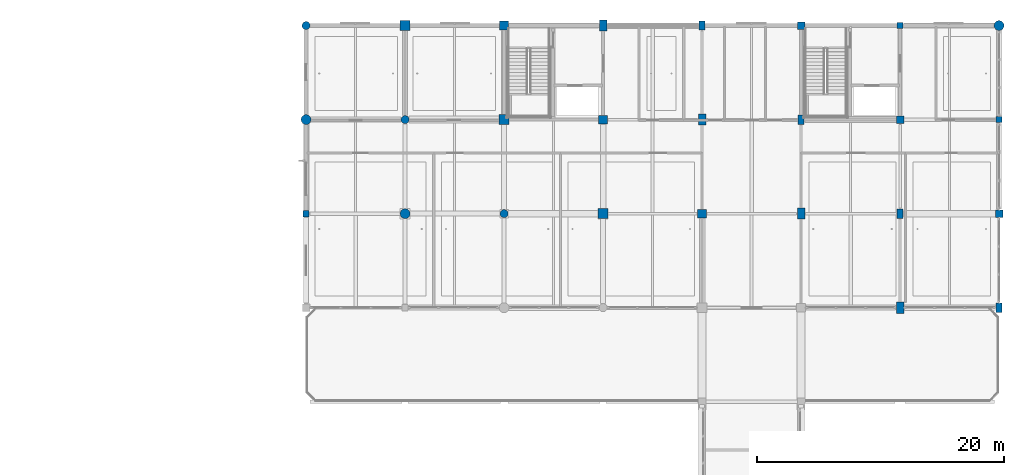
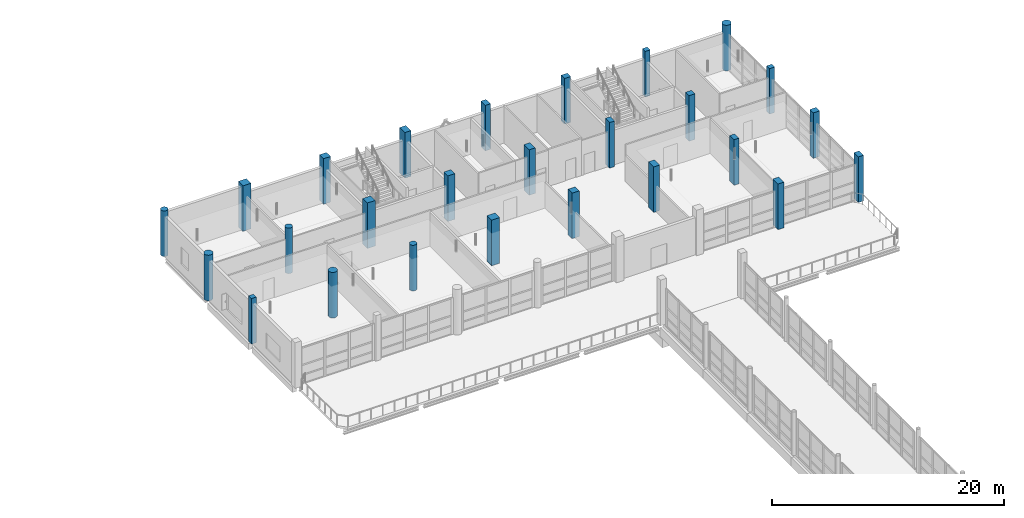
# One storey, part 10 of 141: 26 columns.
"""IFC4 building model written with IfcOpenShell, lengths in metres."""

from ifc_helpers import new_model, si_unit, direction, frame, origin, origin_2d, place, context, subcontext, project, spatial, rectangle, circle, extrude, material, material_profile, profile_set, type_object, element, save


model = new_model("IFC4")

# Units and contexts
model_context = context("Model", 3, precision=1e-05, world=origin(), true_north=direction((0.0, 1.0)))
body_context = subcontext(model_context, "Body", "Model", "MODEL_VIEW")
ifc_project = project(units=[si_unit("LENGTHUNIT", "METRE"), si_unit("AREAUNIT", "SQUARE_METRE"), si_unit("VOLUMEUNIT", "CUBIC_METRE"), si_unit("PLANEANGLEUNIT", "RADIAN"), si_unit("MASSUNIT", "GRAM", prefix="KILO")], contexts=[model_context])

# Site, building, storey
site_placement = place(None, origin())
site = spatial("IfcSite", under=ifc_project, at=site_placement, CompositionType="ELEMENT")
building_placement = place(site_placement, origin())
building = spatial("IfcBuilding", under=site, at=building_placement, Name="Khelvaren Railside Concert Hall", CompositionType="ELEMENT")
storey_placement = place(building_placement, frame((0.0, 0.0, 10.199951171875)))
storey = spatial("IfcBuildingStorey", under=building, at=storey_placement, Name="L02", CompositionType="ELEMENT", Elevation=10.199951171875)

# Columns
ifc_material = material(Name="Concrete C45/55", Category="concrete")
ifc_material_profile_1 = material_profile(ifc_material, rectangle(XDim=0.60009765625, YDim=0.60009765625, at=origin_2d()), Name="RC 600x600")
ifc_profile_set_1 = profile_set([ifc_material_profile_1], Name="Concrete C45/55")
column_type_1 = type_object("IfcColumnType", Name="COL11", PredefinedType="COLUMN", material=ifc_profile_set_1)
for number, where, z_axis, x_axis, name in (
    (1, (168.0, 114.0, 0.0), (0.0, 0.0, 1.0), (1.0, 0.0, 0.0), "V5 L02 Column (168.0,114.0)"),
    (2, (184.0, 98.800048828125, 0.0), (0.0, 0.0, 1.0), (1.0, 0.0, 0.0), "V5 L02 Column (184.0,98.8)"),
):
    element("IfcColumn", number, at=place(storey_placement, frame(where, z_axis=z_axis, x_axis=x_axis)), inside=storey, type_object=column_type_1, Name=name, PredefinedType="COLUMN", context=body_context, shape_type="SweptSolid", body=[
        extrude(rectangle(XDim=0.60009765625, YDim=0.60009765625, at=origin_2d()), origin(), (0.0, 0.0, 1.0), 4.800048828125),
    ])
ifc_material_profile_2 = material_profile(ifc_material, circle(Radius=0.39990234375, at=origin_2d()), Name="RC D800")
ifc_profile_set_2 = profile_set([ifc_material_profile_2], Name="Concrete C45/55")
column_type_2 = type_object("IfcColumnType", Name="COL14", PredefinedType="COLUMN", material=ifc_profile_set_2)
column_1_placement = place(storey_placement, frame((136.0, 98.800048828125, 0.0), z_axis=(0.0, 0.0, 1.0), x_axis=(1.0, 0.0, 0.0)))
element("IfcColumn", 3, at=column_1_placement, inside=storey, type_object=column_type_2, Name="V5 L02 Column (136.0,98.8)", PredefinedType="COLUMN", context=body_context, shape_type="SweptSolid", body=[
    extrude(circle(Radius=0.39990234375, at=origin_2d()), origin(), (0.0, 0.0, 1.0), 4.800048828125),
])
ifc_material_profile_3 = material_profile(ifc_material, rectangle(XDim=0.699951171875, YDim=0.699951171875, at=origin_2d()), Name="RC 700x700")
ifc_profile_set_3 = profile_set([ifc_material_profile_3], Name="Concrete C45/55")
column_type_3 = type_object("IfcColumnType", Name="COL16", PredefinedType="COLUMN", material=ifc_profile_set_3)
column_2_placement = place(storey_placement, frame((144.0, 114.0, 0.0), z_axis=(0.0, 0.0, 1.0), x_axis=(1.0, 0.0, 0.0)))
element("IfcColumn", 4, at=column_2_placement, inside=storey, type_object=column_type_3, Name="V5 L02 Column (144.0,114.0)", PredefinedType="COLUMN", context=body_context, shape_type="SweptSolid", body=[
    extrude(rectangle(XDim=0.699951171875, YDim=0.699951171875, at=origin_2d()), origin(), (0.0, 0.0, 1.0), 4.800048828125),
])
ifc_material_profile_4 = material_profile(ifc_material, rectangle(XDim=0.800048828125, YDim=0.800048828125, at=origin_2d()), Name="RC 800x800")
ifc_profile_set_4 = profile_set([ifc_material_profile_4], Name="Concrete C45/55")
column_type_4 = type_object("IfcColumnType", Name="COL20", PredefinedType="COLUMN", material=ifc_profile_set_4)
for number, where, z_axis, x_axis, name in (
    (5, (144.0, 106.39990234375, 0.0), (0.0, 0.0, 1.0), (1.0, 0.0, 0.0), "V5 L02 Column (144.0,106.4)"),
    (6, (152.0, 98.800048828125, 0.0), (0.0, 0.0, 1.0), (1.0, 0.0, 0.0), "V5 L02 Column (152.0,98.8)"),
):
    element("IfcColumn", number, at=place(storey_placement, frame(where, z_axis=z_axis, x_axis=x_axis)), inside=storey, type_object=column_type_4, Name=name, PredefinedType="COLUMN", context=body_context, shape_type="SweptSolid", body=[
        extrude(rectangle(XDim=0.800048828125, YDim=0.800048828125, at=origin_2d()), origin(), (0.0, 0.0, 1.0), 4.800048828125),
    ])
ifc_material_profile_5 = material_profile(ifc_material, circle(Radius=0.39990234375, at=origin_2d()), Name="RC D800")
ifc_profile_set_5 = profile_set([ifc_material_profile_5], Name="Concrete C45/55")
column_type_5 = type_object("IfcColumnType", Name="COL22", PredefinedType="COLUMN", material=ifc_profile_set_5)
for number, where, z_axis, x_axis, name in (
    (7, (128.0, 106.39990234375, 0.0), (0.0, 0.0, 1.0), (1.0, 0.0, 0.0), "V5 L02 Column (128.0,106.4)"),
    (8, (184.0, 114.0, 0.0), (0.0, 0.0, 1.0), (1.0, 0.0, 0.0), "V5 L02 Column (184.0,114.0)"),
):
    element("IfcColumn", number, at=place(storey_placement, frame(where, z_axis=z_axis, x_axis=x_axis)), inside=storey, type_object=column_type_5, Name=name, PredefinedType="COLUMN", context=body_context, shape_type="SweptSolid", body=[
        extrude(circle(Radius=0.39990234375, at=origin_2d()), origin(), (0.0, 0.0, 1.0), 4.800048828125),
    ])
ifc_material_profile_6 = material_profile(ifc_material, rectangle(XDim=0.60009765625, YDim=0.60009765625, at=origin_2d()), Name="RC 600x600")
ifc_profile_set_6 = profile_set([ifc_material_profile_6], Name="Concrete C45/55")
column_type_6 = type_object("IfcColumnType", Name="COL29", PredefinedType="COLUMN", material=ifc_profile_set_6)
column_3_placement = place(storey_placement, frame((176.0, 106.39990234375, 0.0), z_axis=(0.0, 0.0, 1.0), x_axis=(1.0, 0.0, 0.0)))
element("IfcColumn", 9, at=column_3_placement, inside=storey, type_object=column_type_6, Name="V5 L02 Column (176.0,106.4)", PredefinedType="COLUMN", context=body_context, shape_type="SweptSolid", body=[
    extrude(rectangle(XDim=0.60009765625, YDim=0.60009765625, at=origin_2d()), origin(), (0.0, 0.0, 1.0), 4.800048828125),
])
ifc_material_profile_7 = material_profile(ifc_material, rectangle(XDim=0.60009765625, YDim=0.89990234375, at=origin_2d()), Name="RC 600x900")
ifc_profile_set_7 = profile_set([ifc_material_profile_7], Name="Concrete C45/55")
column_type_7 = type_object("IfcColumnType", Name="COL33", PredefinedType="COLUMN", material=ifc_profile_set_7)
for number, where, z_axis, x_axis, name in (
    (10, (160.0, 106.39990234375, 0.0), (0.0, 0.0, 1.0), (1.0, 0.0, 0.0), "V5 L02 Column (160.0,106.4)"),
    (11, (168.0, 98.800048828125, 0.0), (0.0, 0.0, 1.0), (1.0, 0.0, 0.0), "V5 L02 Column (168.0,98.8)"),
):
    element("IfcColumn", number, at=place(storey_placement, frame(where, z_axis=z_axis, x_axis=x_axis)), inside=storey, type_object=column_type_7, Name=name, PredefinedType="COLUMN", context=body_context, shape_type="SweptSolid", body=[
        extrude(rectangle(XDim=0.60009765625, YDim=0.89990234375, at=origin_2d()), origin(), (0.0, 0.0, 1.0), 4.800048828125),
    ])
ifc_material_profile_8 = material_profile(ifc_material, rectangle(XDim=0.5, YDim=0.5, at=origin_2d()), Name="RC 500x500")
ifc_profile_set_8 = profile_set([ifc_material_profile_8], Name="Concrete C45/55")
column_type_8 = type_object("IfcColumnType", Name="COL35", PredefinedType="COLUMN", material=ifc_profile_set_8)
for number, where, z_axis, x_axis, name in (
    (12, (128.0, 98.800048828125, 0.0), (0.0, 0.0, 1.0), (1.0, 0.0, 0.0), "V5 L02 Column (128.0,98.8)"),
    (13, (176.0, 114.0, 0.0), (0.0, 0.0, 1.0), (1.0, 0.0, 0.0), "V5 L02 Column (176.0,114.0)"),
    (14, (184.0, 106.39990234375, 0.0), (0.0, 0.0, 1.0), (1.0, 0.0, 0.0), "V5 L02 Column (184.0,106.4)"),
):
    element("IfcColumn", number, at=place(storey_placement, frame(where, z_axis=z_axis, x_axis=x_axis)), inside=storey, type_object=column_type_8, Name=name, PredefinedType="COLUMN", context=body_context, shape_type="SweptSolid", body=[
        extrude(rectangle(XDim=0.5, YDim=0.5, at=origin_2d()), origin(), (0.0, 0.0, 1.0), 4.800048828125),
    ])
ifc_material_profile_9 = material_profile(ifc_material, rectangle(XDim=0.5, YDim=0.75, at=origin_2d()), Name="RC 500x750")
ifc_profile_set_9 = profile_set([ifc_material_profile_9], Name="Concrete C45/55")
column_type_9 = type_object("IfcColumnType", Name="COL36", PredefinedType="COLUMN", material=ifc_profile_set_9)
for number, where, z_axis, x_axis, name in (
    (15, (168.0, 106.39990234375, 0.0), (0.0, 0.0, 1.0), (1.0, 0.0, 0.0), "V5 L02 Column (168.0,106.4)"),
    (16, (176.0, 98.800048828125, 0.0), (0.0, 0.0, 1.0), (1.0, 0.0, 0.0), "V5 L02 Column (176.0,98.8)"),
):
    element("IfcColumn", number, at=place(storey_placement, frame(where, z_axis=z_axis, x_axis=x_axis)), inside=storey, type_object=column_type_9, Name=name, PredefinedType="COLUMN", context=body_context, shape_type="SweptSolid", body=[
        extrude(rectangle(XDim=0.5, YDim=0.75, at=origin_2d()), origin(), (0.0, 0.0, 1.0), 4.800048828125),
    ])
ifc_material_profile_10 = material_profile(ifc_material, rectangle(XDim=0.800048828125, YDim=0.800048828125, at=origin_2d()), Name="RC 800x800")
ifc_profile_set_10 = profile_set([ifc_material_profile_10], Name="Concrete C45/55")
column_type_10 = type_object("IfcColumnType", Name="COL38", PredefinedType="COLUMN", material=ifc_profile_set_10)
column_4_placement = place(storey_placement, frame((136.0, 114.0, 0.0), z_axis=(0.0, 0.0, 1.0), x_axis=(1.0, 0.0, 0.0)))
element("IfcColumn", 17, at=column_4_placement, inside=storey, type_object=column_type_10, Name="V5 L02 Column (136.0,114.0)", PredefinedType="COLUMN", context=body_context, shape_type="SweptSolid", body=[
    extrude(rectangle(XDim=0.800048828125, YDim=0.800048828125, at=origin_2d()), origin(), (0.0, 0.0, 1.0), 4.800048828125),
])
ifc_material_profile_11 = material_profile(ifc_material, circle(Radius=0.324951171875, at=origin_2d()), Name="RC D650")
ifc_profile_set_11 = profile_set([ifc_material_profile_11], Name="Concrete C45/55")
column_type_11 = type_object("IfcColumnType", Name="COL53", PredefinedType="COLUMN", material=ifc_profile_set_11)
column_5_placement = place(storey_placement, frame((128.0, 114.0, 0.0), z_axis=(0.0, 0.0, 1.0), x_axis=(1.0, 0.0, 0.0)))
element("IfcColumn", 18, at=column_5_placement, inside=storey, type_object=column_type_11, Name="V5 L02 Column (128.0,114.0)", PredefinedType="COLUMN", context=body_context, shape_type="SweptSolid", body=[
    extrude(circle(Radius=0.324951171875, at=origin_2d()), origin(), (0.0, 0.0, 1.0), 4.800048828125),
])
ifc_material_profile_12 = material_profile(ifc_material, rectangle(XDim=0.699951171875, YDim=0.699951171875, at=origin_2d()), Name="RC 700x700")
ifc_profile_set_12 = profile_set([ifc_material_profile_12], Name="Concrete C45/55")
column_type_12 = type_object("IfcColumnType", Name="COL74", PredefinedType="COLUMN", material=ifc_profile_set_12)
for number, where, z_axis, x_axis, name in (
    (19, (152.0, 106.39990234375, 0.0), (0.0, 0.0, 1.0), (1.0, 0.0, 0.0), "V5 L02 Column (152.0,106.4)"),
    (20, (160.0, 98.800048828125, 0.0), (0.0, 0.0, 1.0), (1.0, 0.0, 0.0), "V5 L02 Column (160.0,98.8)"),
):
    element("IfcColumn", number, at=place(storey_placement, frame(where, z_axis=z_axis, x_axis=x_axis)), inside=storey, type_object=column_type_12, Name=name, PredefinedType="COLUMN", context=body_context, shape_type="SweptSolid", body=[
        extrude(rectangle(XDim=0.699951171875, YDim=0.699951171875, at=origin_2d()), origin(), (0.0, 0.0, 1.0), 4.800048828125),
    ])
ifc_material_profile_13 = material_profile(ifc_material, circle(Radius=0.324951171875, at=origin_2d()), Name="RC D650")
ifc_profile_set_13 = profile_set([ifc_material_profile_13], Name="Concrete C45/55")
column_type_13 = type_object("IfcColumnType", Name="COL94", PredefinedType="COLUMN", material=ifc_profile_set_13)
for number, where, z_axis, x_axis, name in (
    (21, (136.0, 106.39990234375, 0.0), (0.0, 0.0, 1.0), (1.0, 0.0, 0.0), "V5 L02 Column (136.0,106.4)"),
    (22, (144.0, 98.800048828125, 0.0), (0.0, 0.0, 1.0), (1.0, 0.0, 0.0), "V5 L02 Column (144.0,98.8)"),
):
    element("IfcColumn", number, at=place(storey_placement, frame(where, z_axis=z_axis, x_axis=x_axis)), inside=storey, type_object=column_type_13, Name=name, PredefinedType="COLUMN", context=body_context, shape_type="SweptSolid", body=[
        extrude(circle(Radius=0.324951171875, at=origin_2d()), origin(), (0.0, 0.0, 1.0), 4.800048828125),
    ])
ifc_material_profile_14 = material_profile(ifc_material, rectangle(XDim=0.60009765625, YDim=0.89990234375, at=origin_2d()), Name="RC 600x900")
ifc_profile_set_14 = profile_set([ifc_material_profile_14], Name="Concrete C45/55")
column_type_14 = type_object("IfcColumnType", Name="COL95", PredefinedType="COLUMN", material=ifc_profile_set_14)
for number, where, z_axis, x_axis, name in (
    (23, (152.0, 114.0, 0.0), (0.0, 0.0, 1.0), (1.0, 0.0, 0.0), "V5 L02 Column (152.0,114.0)"),
    (24, (176.0, 91.199951171875, 0.0), (0.0, 0.0, 1.0), (1.0, 0.0, 0.0), "V5 L02 Column (176.0,91.2)"),
):
    element("IfcColumn", number, at=place(storey_placement, frame(where, z_axis=z_axis, x_axis=x_axis)), inside=storey, type_object=column_type_14, Name=name, PredefinedType="COLUMN", context=body_context, shape_type="SweptSolid", body=[
        extrude(rectangle(XDim=0.60009765625, YDim=0.89990234375, at=origin_2d()), origin(), (0.0, 0.0, 1.0), 4.800048828125),
    ])
ifc_material_profile_15 = material_profile(ifc_material, rectangle(XDim=0.5, YDim=0.75, at=origin_2d()), Name="RC 500x750")
ifc_profile_set_15 = profile_set([ifc_material_profile_15], Name="Concrete C45/55")
column_type_15 = type_object("IfcColumnType", Name="COL97", PredefinedType="COLUMN", material=ifc_profile_set_15)
for number, where, z_axis, x_axis, name in (
    (25, (160.0, 114.0, 0.0), (0.0, 0.0, 1.0), (1.0, 0.0, 0.0), "V5 L02 Column (160.0,114.0)"),
    (26, (184.0, 91.199951171875, 0.0), (0.0, 0.0, 1.0), (1.0, 0.0, 0.0), "V5 L02 Column (184.0,91.2)"),
):
    element("IfcColumn", number, at=place(storey_placement, frame(where, z_axis=z_axis, x_axis=x_axis)), inside=storey, type_object=column_type_15, Name=name, PredefinedType="COLUMN", context=body_context, shape_type="SweptSolid", body=[
        extrude(rectangle(XDim=0.5, YDim=0.75, at=origin_2d()), origin(), (0.0, 0.0, 1.0), 4.800048828125),
    ])

save(model, "model.ifc")
